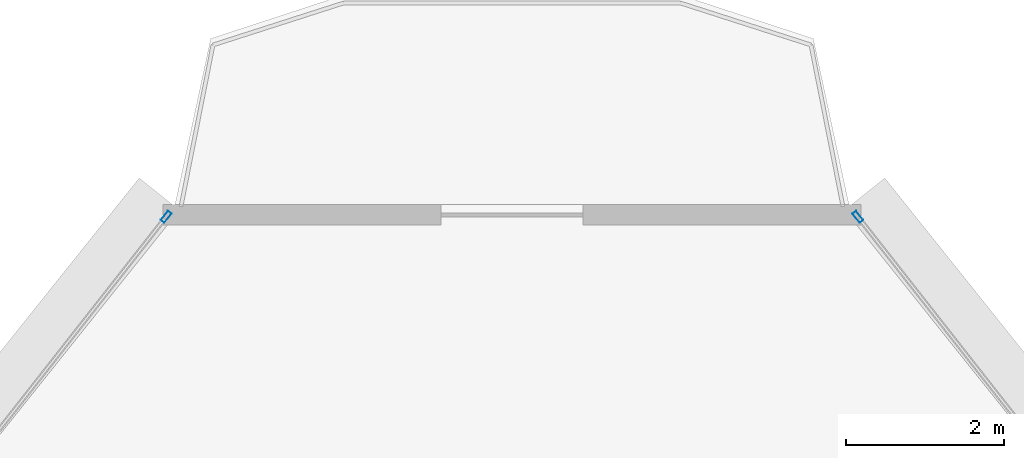
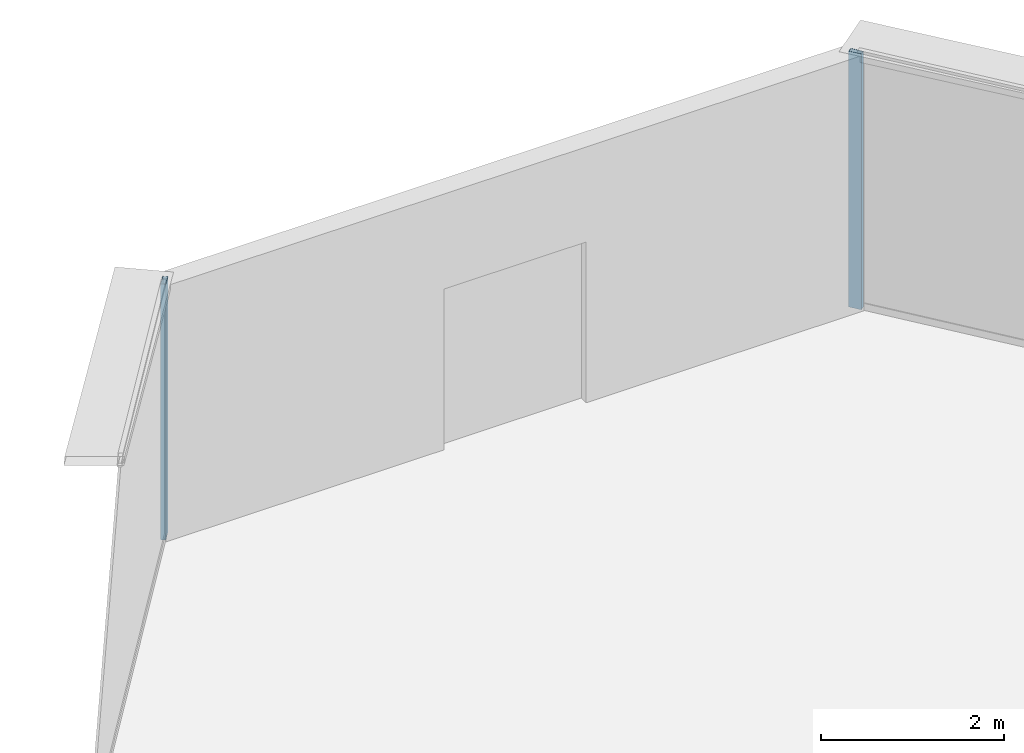
# One storey, part 29 of 39: 2 members, 2 elements without a shape of their own.
"""IFC4 building model written with IfcOpenShell, lengths in metres."""

from ifc_helpers import new_model, si_unit, direction, frame, origin, origin_2d, place, context, subcontext, project, spatial, hollow_rectangle, extrude, source, transform, mapped, material, layer, layer_set, material_profile, profile_set, type_object, element, aggregate, save


model = new_model("IFC4")

# Units and contexts
model_context = context("Model", 3, precision=1e-05, world=origin(), true_north=direction((0.0, 1.0)))
body_context = subcontext(model_context, "Body", "Model", "MODEL_VIEW")
ifc_project = project(units=[si_unit("LENGTHUNIT", "METRE"), si_unit("AREAUNIT", "SQUARE_METRE"), si_unit("VOLUMEUNIT", "CUBIC_METRE"), si_unit("PLANEANGLEUNIT", "RADIAN"), si_unit("MASSUNIT", "GRAM", prefix="KILO"), si_unit("THERMODYNAMICTEMPERATUREUNIT", "KELVIN"), si_unit("POWERUNIT", "WATT")], contexts=[model_context])

# Site, building, storey
site_placement = place(None, origin())
site = spatial("IfcSite", under=ifc_project, at=site_placement, CompositionType="ELEMENT")
building_placement = place(site_placement, origin())
building = spatial("IfcBuilding", under=site, at=building_placement, Name="Yunzhuo Pagoda Commons", CompositionType="ELEMENT")
storey_placement = place(building_placement, frame((0.0, 0.0, 148.22998046875)))
storey = spatial("IfcBuildingStorey", under=building, at=storey_placement, Name="L37", CompositionType="ELEMENT", Elevation=148.22998046875)

# Curtain wall, member
ifc_material = material(Name="Anodized aluminium 6063-T6", Category="aluminium")
ifc_layer = layer(ifc_material, 0.14990234375)
ifc_layer_set = layer_set([ifc_layer], Name="Anodized aluminium 6063-T6")
curtain_wall_type = type_object("IfcCurtainWallType", Name="CW-MID Mid-Zone Ribbon Curtain Wall", PredefinedType="NOTDEFINED", material=ifc_layer_set)
curtain_wall_1_placement = place(storey_placement, origin())
curtain_wall_1 = element("IfcCurtainWall", 1, at=curtain_wall_1_placement, inside=storey, type_object=curtain_wall_type, Name="L37 curtain wall CW-L37-F2B5", PredefinedType="NOTDEFINED")
ifc_material_profile = material_profile(ifc_material, hollow_rectangle(XDim=0.06005859375, YDim=0.14990234375, WallThickness=0.00390625, at=origin_2d()), Name="Anodized aluminium 6063-T6")
ifc_profile_set = profile_set([ifc_material_profile], Name="Anodized aluminium 6063-T6")
member_type = type_object("IfcMemberType", Name="CW-MID-M Mullion RHS 150x60x4", PredefinedType="MULLION", material=ifc_profile_set)
shared_shape = source(origin(), body_context, "Body", "SweptSolid", [
    extrude(hollow_rectangle(XDim=0.06005859375, YDim=0.14990234375, WallThickness=0.00390625, at=origin_2d()), origin(), (0.0, 0.0, 1.0), 3.419677734375),
])
member_1_placement = place(storey_placement, frame((52.37451171875, 84.804931640625, 0.000244140625), z_axis=(0.0, 0.0, 1.0), x_axis=(-0.786664694453, -0.617380481147, 0.0)))
member_1 = element("IfcMember", 2, at=member_1_placement, type_object=member_type, Name="CW mullion 2", PredefinedType="MULLION", context=body_context, shape_type="MappedRepresentation", body=[
    mapped(shared_shape, transform((0.0, 0.0, 0.0), scale=1.0)),
])
aggregate(curtain_wall_1, [member_1])

curtain_wall_2_placement = place(storey_placement, origin())
curtain_wall_2 = element("IfcCurtainWall", 3, at=curtain_wall_2_placement, inside=storey, type_object=curtain_wall_type, Name="L37 curtain wall CW-L37-F3B1", PredefinedType="NOTDEFINED")
member_2_placement = place(storey_placement, frame((43.62548828125, 84.804931640625, 0.000244140625), z_axis=(0.0, 0.0, 1.0), x_axis=(0.786664694453, -0.617380481147, 0.0)))
member_2 = element("IfcMember", 4, at=member_2_placement, type_object=member_type, Name="CW mullion 1", PredefinedType="MULLION", context=body_context, shape_type="MappedRepresentation", body=[
    mapped(shared_shape, transform((0.0, 0.0, 0.0), scale=1.0)),
])
aggregate(curtain_wall_2, [member_2])

save(model, "model.ifc")
